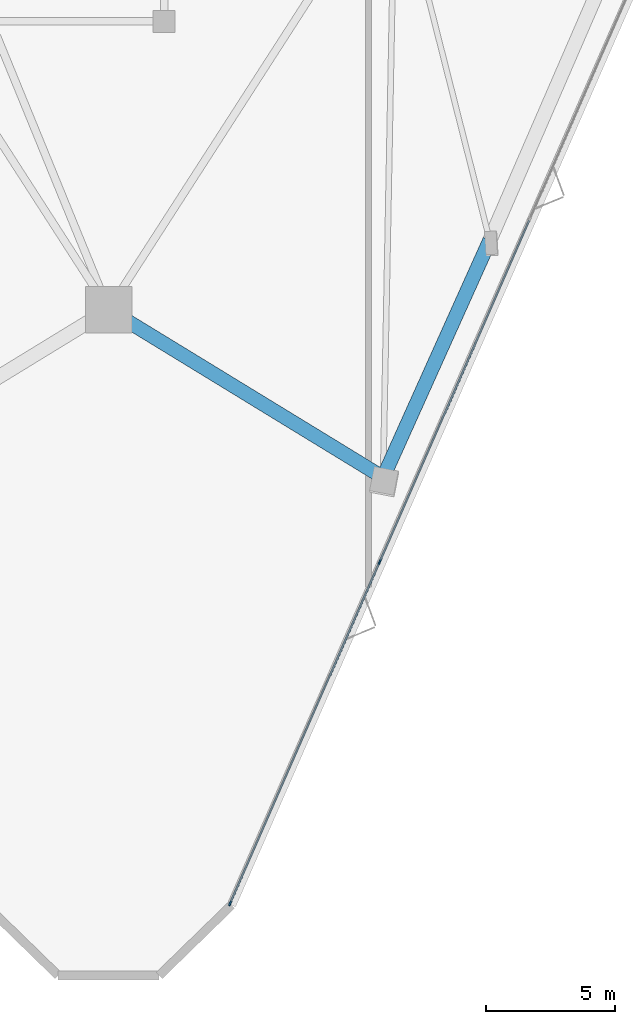
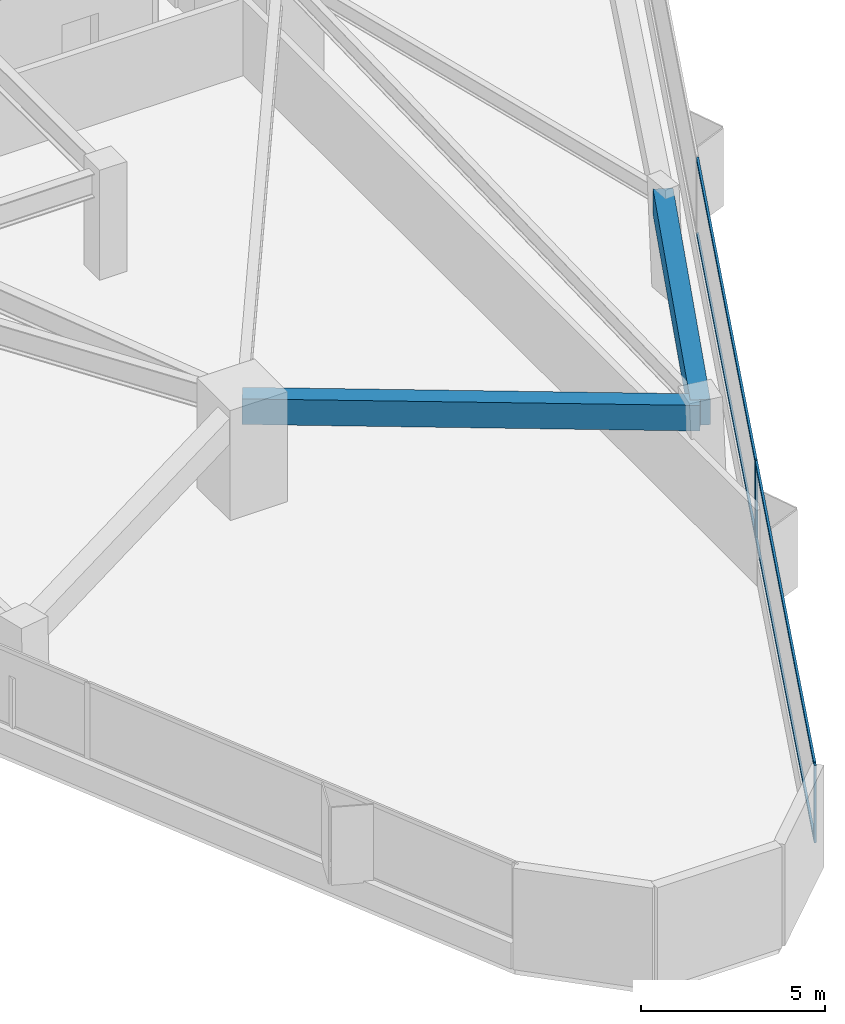
# One storey, part 4 of 20: 6 members, 2 beams, 1 element without a shape of its own.
"""IFC4 building model written with IfcOpenShell, lengths in metres."""

from ifc_helpers import new_model, si_unit, direction, frame, origin, origin_2d, place, context, subcontext, project, spatial, rectangle, extrude, material, layer, layer_set, material_profile, profile_set, type_object, element, aggregate, save


model = new_model("IFC4")

# Units and contexts
model_context = context("Model", 3, precision=1e-05, world=origin(), true_north=direction((0.0, 1.0)))
body_context = subcontext(model_context, "Body", "Model", "MODEL_VIEW")
ifc_project = project(units=[si_unit("LENGTHUNIT", "METRE"), si_unit("AREAUNIT", "SQUARE_METRE"), si_unit("VOLUMEUNIT", "CUBIC_METRE"), si_unit("PLANEANGLEUNIT", "RADIAN"), si_unit("MASSUNIT", "GRAM", prefix="KILO")], contexts=[model_context])

# Site, building, storey
site_placement = place(None, origin())
site = spatial("IfcSite", under=ifc_project, at=site_placement, CompositionType="ELEMENT")
building_placement = place(site_placement, origin())
building = spatial("IfcBuilding", under=site, at=building_placement, Name="Talyreon Biosciences Tower", CompositionType="ELEMENT")
storey_placement = place(building_placement, frame((0.0, 0.0, 37.39990234375)))
storey = spatial("IfcBuildingStorey", under=building, at=storey_placement, Name="L09", CompositionType="ELEMENT", Elevation=37.39990234375)

# Curtain wall, members
ifc_material_1 = material(Name="Thermally broken aluminium and low-E glazing", Category="aluminium")
ifc_layer = layer(ifc_material_1, 0.195068359375)
ifc_layer_set = layer_set([ifc_layer], Name="Thermally broken aluminium and low-E glazing")
curtain_wall_type = type_object("IfcCurtainWallType", Name="CurtainWall_Zone1WetLab", PredefinedType="NOTDEFINED", material=ifc_layer_set)
curtain_wall_placement = place(storey_placement, origin())
curtain_wall = element("IfcCurtainWall", 1, at=curtain_wall_placement, inside=storey, type_object=curtain_wall_type, Name="L09 Unitised Curtain Wall FCW-L09-08", PredefinedType="NOTDEFINED")
ifc_material_2 = material(Name="Anodised thermally broken aluminium", Category="aluminium")
ifc_material_profile_1 = material_profile(ifc_material_2, rectangle(XDim=0.06494140625, YDim=0.179931640625, at=origin_2d()), Name="ALUM MULLION 65x180")
ifc_profile_set_1 = profile_set([ifc_material_profile_1], Name="Anodised thermally broken aluminium")
member_type_1 = type_object("IfcMemberType", Name="CWMullion_65x180", PredefinedType="MULLION", material=ifc_profile_set_1)
member_1_placement = place(storey_placement, frame((76.4990234375, 31.884033203125, 0.81005859375), z_axis=(0.0, 0.0, 1.0), x_axis=(0.915980408101, -0.401222995321, 0.0)))
member_1 = element("IfcMember", 2, at=member_1_placement, type_object=member_type_1, Name="CW2 mullion 5", PredefinedType="MULLION", context=body_context, shape_type="SweptSolid", body=[
    extrude(rectangle(XDim=0.06494140625, YDim=0.179931640625, at=origin_2d()), origin(), (0.0, 0.0, 1.0), 2.56494140625),
])
member_2_placement = place(storey_placement, frame((70.702880859375, 18.651611328125, 0.81005859375), z_axis=(0.0, 0.0, 1.0), x_axis=(0.915980408101, -0.401222995321, 0.0)))
member_2 = element("IfcMember", 3, at=member_2_placement, type_object=member_type_1, Name="CW2 mullion 6", PredefinedType="MULLION", context=body_context, shape_type="SweptSolid", body=[
    extrude(rectangle(XDim=0.06494140625, YDim=0.179931640625, at=origin_2d()), origin(), (0.0, 0.0, 1.0), 2.56494140625),
])
ifc_material_profile_2 = material_profile(ifc_material_2, rectangle(XDim=0.06494140625, YDim=0.139892578125, at=origin_2d()), Name="ALUM TRANSOM 65x140")
ifc_profile_set_2 = profile_set([ifc_material_profile_2], Name="Anodised thermally broken aluminium")
member_type_2 = type_object("IfcMemberType", Name="CWTransom_65x140", PredefinedType="USERDEFINED", material=ifc_profile_set_2)
member_3_placement = place(storey_placement, frame((82.295166015625, 45.11669921875, 0.842529296875), z_axis=(-0.401223081321, -0.915980370431, 0.0), x_axis=(0.915980370431, -0.401223081321, 0.0)))
member_3 = element("IfcMember", 4, at=member_3_placement, type_object=member_type_2, Name="CW2 transom 4.1", ObjectType="TRANSOM", PredefinedType="USERDEFINED", context=body_context, shape_type="SweptSolid", body=[
    extrude(rectangle(XDim=0.06494140625, YDim=0.139892578125, at=origin_2d()), origin(), (0.0, 0.0, 1.0), 14.413818359375),
])
member_4_placement = place(storey_placement, frame((82.295166015625, 45.11669921875, 3.342529296875), z_axis=(-0.401223081321, -0.915980370431, 0.0), x_axis=(0.915980370431, -0.401223081321, 0.0)))
member_4 = element("IfcMember", 5, at=member_4_placement, type_object=member_type_2, Name="CW2 transom 4.2", ObjectType="TRANSOM", PredefinedType="USERDEFINED", context=body_context, shape_type="SweptSolid", body=[
    extrude(rectangle(XDim=0.06494140625, YDim=0.139892578125, at=origin_2d()), origin(), (0.0, 0.0, 1.0), 14.413818359375),
])
member_5_placement = place(storey_placement, frame((76.486083984375, 31.854248046875, 0.842529296875), z_axis=(-0.401235575377, -0.91597489761, 0.0), x_axis=(0.91597489761, -0.401235575377, 0.0)))
member_5 = element("IfcMember", 6, at=member_5_placement, type_object=member_type_2, Name="CW2 transom 5.1", ObjectType="TRANSOM", PredefinedType="USERDEFINED", context=body_context, shape_type="SweptSolid", body=[
    extrude(rectangle(XDim=0.06494140625, YDim=0.139892578125, at=origin_2d()), origin(), (0.0, 0.0, 1.0), 14.38134765625),
])
member_6_placement = place(storey_placement, frame((76.486083984375, 31.854248046875, 3.342529296875), z_axis=(-0.401235575377, -0.91597489761, 0.0), x_axis=(0.91597489761, -0.401235575377, 0.0)))
member_6 = element("IfcMember", 7, at=member_6_placement, type_object=member_type_2, Name="CW2 transom 5.2", ObjectType="TRANSOM", PredefinedType="USERDEFINED", context=body_context, shape_type="SweptSolid", body=[
    extrude(rectangle(XDim=0.06494140625, YDim=0.139892578125, at=origin_2d()), origin(), (0.0, 0.0, 1.0), 14.38134765625),
])
aggregate(curtain_wall, [member_1, member_2, member_3, member_4, member_5, member_6])

# Beams
ifc_material_3 = material(Name="Precast concrete C45/55", Category="concrete")
ifc_material_profile_3 = material_profile(ifc_material_3, rectangle(XDim=0.550048828125, YDim=0.85009765625, at=origin_2d()), Name="RCB 550x850")
ifc_profile_set_3 = profile_set([ifc_material_profile_3], Name="Precast concrete C45/55")
beam_type = type_object("IfcBeamType", Name="ExpressedSpandrel_550x850", PredefinedType="SPANDREL", material=ifc_profile_set_3)
beam_1_placement = place(storey_placement, frame((66.0, 41.6669921875, 2.9501953125), z_axis=(0.85318983809, -0.52160051781, 0.0), x_axis=(0.52160051781, 0.85318983809, 0.0)))
element("IfcBeam", 8, at=beam_1_placement, inside=storey, type_object=beam_type, Name="L09 Expressed Horizontal Concrete Spandrel 01", PredefinedType="SPANDREL", context=body_context, shape_type="SweptSolid", body=[
    extrude(rectangle(XDim=0.550048828125, YDim=0.85009765625, at=origin_2d()), origin(), (0.0, 0.0, 1.0), 12.4658203125),
])
beam_2_placement = place(storey_placement, frame((76.6357421875, 35.164794921875, 2.9501953125), z_axis=(0.410252786608, 0.911971847746, 0.0), x_axis=(-0.911971847746, 0.410252786608, 0.0)))
element("IfcBeam", 9, at=beam_2_placement, inside=storey, type_object=beam_type, Name="L09 Expressed Horizontal Concrete Spandrel 02", PredefinedType="SPANDREL", context=body_context, shape_type="SweptSolid", body=[
    extrude(rectangle(XDim=0.550048828125, YDim=0.85009765625, at=origin_2d()), origin(), (0.0, 0.0, 1.0), 10.07080078125),
])

save(model, "model.ifc")
